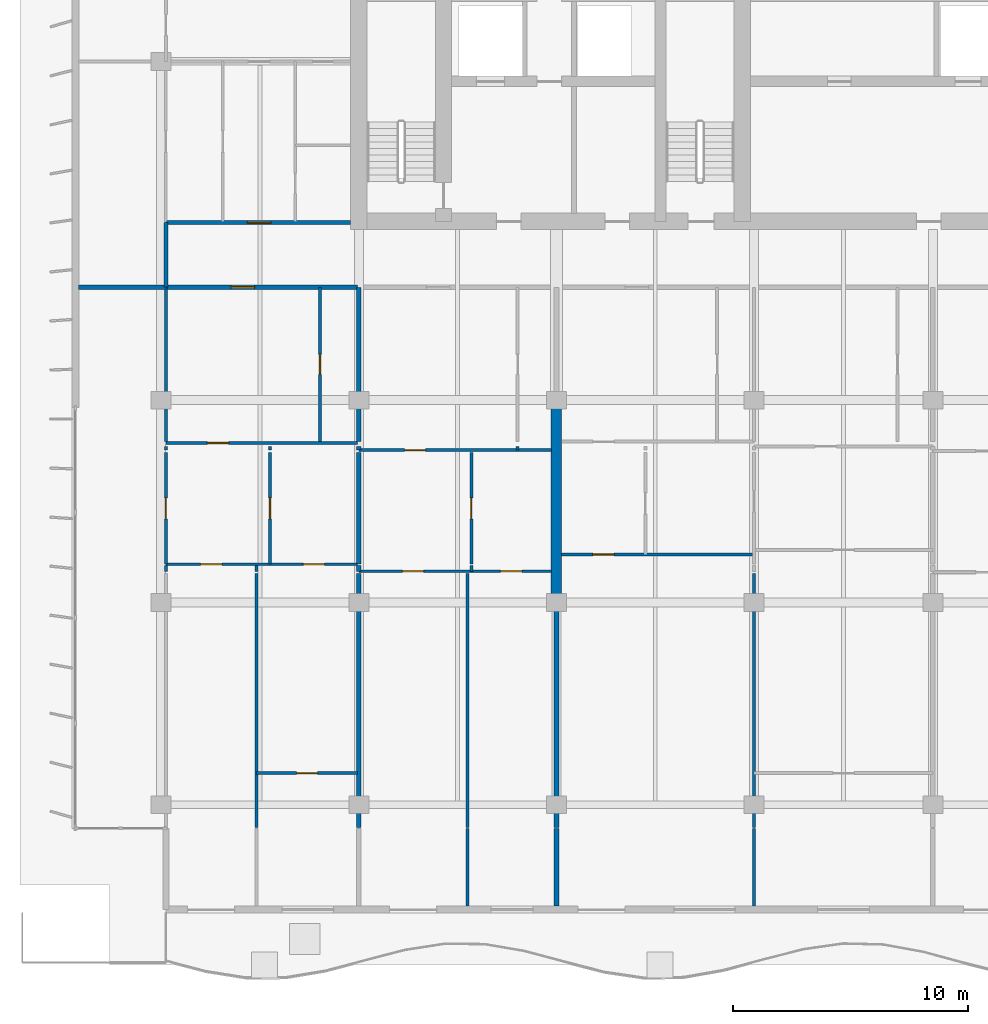
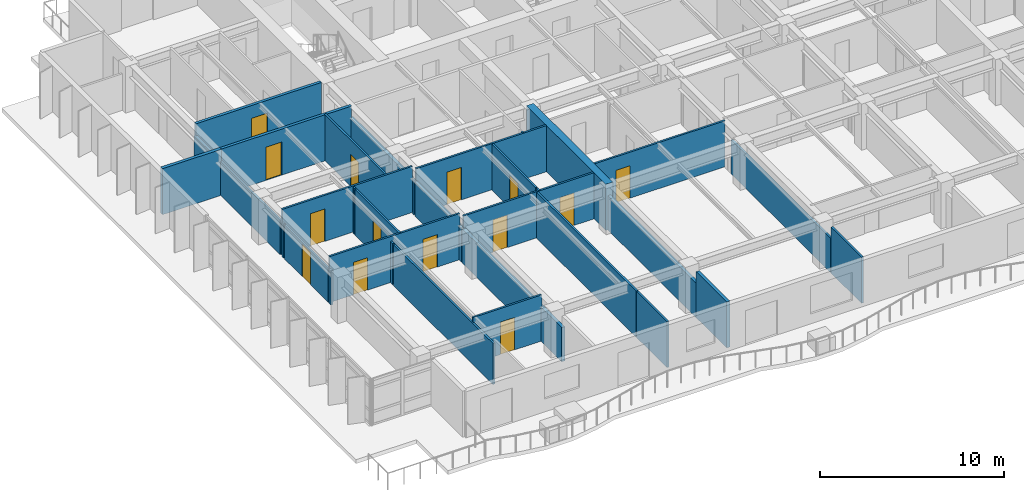
# One storey, part 7 of 17: 34 walls, 14 doors, 14 openings.
"""IFC4 building model written with IfcOpenShell, lengths in metres."""

from ifc_helpers import new_model, si_unit, direction, frame, frame_2d, origin, place, context, subcontext, project, spatial, rectangle, extrude, material, layer, layer_set, type_object, element, fill, save


model = new_model("IFC4")

# Units and contexts
model_context = context("Model", 3, precision=1e-05, world=origin(), true_north=direction((0.0, 1.0)))
body_context = subcontext(model_context, "Body", "Model", "MODEL_VIEW")
ifc_project = project(units=[si_unit("LENGTHUNIT", "METRE"), si_unit("AREAUNIT", "SQUARE_METRE"), si_unit("VOLUMEUNIT", "CUBIC_METRE"), si_unit("PLANEANGLEUNIT", "RADIAN"), si_unit("MASSUNIT", "GRAM", prefix="KILO")], contexts=[model_context])

# Site, building, storey
site_placement = place(None, origin())
site = spatial("IfcSite", under=ifc_project, at=site_placement, CompositionType="ELEMENT")
building_placement = place(site_placement, origin())
building = spatial("IfcBuilding", under=site, at=building_placement, Name="Caelmar Bay Residences", CompositionType="ELEMENT")
storey_placement = place(building_placement, frame((0.0, 0.0, 157.199951171875)))
storey = spatial("IfcBuildingStorey", under=building, at=storey_placement, Name="L43", CompositionType="ELEMENT", Elevation=157.199951171875)

# Walls
ifc_material_1 = material(Name="Concrete f'c 55 MPa (8,000 psi)", Category="concrete")
ifc_layer_1 = layer(ifc_material_1, 0.449951171875)
ifc_layer_set_1 = layer_set([ifc_layer_1], Name="Concrete f'c 55 MPa (8,000 psi)")
wall_type_1 = type_object("IfcWallType", Name="SW-XSLB-450", PredefinedType="SHEAR", material=ifc_layer_set_1)
wall_1_placement = place(storey_placement, frame((26.699951171875, 20.800048828125, 0.0), z_axis=(0.0, 0.0, 1.0), x_axis=(0.0, 1.0, 0.0)))
element("IfcWall", 1, at=wall_1_placement, inside=storey, type_object=wall_type_1, Name="L43 Transverse Cross-Slab Shear Wall W5", PredefinedType="SHEAR", context=body_context, shape_type="SweptSolid", body=[
    extrude(rectangle(XDim=8.599853515625, YDim=0.449951171875, at=frame_2d((4.2998046875, 0.0))), origin(), (0.0, 0.0, 1.0), 3.050048828125),
])
ifc_material_2 = material(Name="Double-stud acoustic fire-rated gypsum partition 180 mm")
ifc_layer_2 = layer(ifc_material_2, 0.179931640625)
ifc_layer_set_2 = layer_set([ifc_layer_2], Name="Double-stud acoustic fire-rated gypsum partition 180 mm")
wall_type_2 = type_object("IfcWallType", Name="W-COR-200", PredefinedType="PARTITIONING", material=ifc_layer_set_2)
wall_2_placement = place(storey_placement, frame((10.10009765625, 34.205078125, 0.0), z_axis=(0.0, 0.0, 1.0), x_axis=(0.0, 1.0, 0.0)))
element("IfcWall", 2, at=wall_2_placement, inside=storey, type_object=wall_type_2, Name="L43 Partition Wall V006", PredefinedType="PARTITIONING", context=body_context, shape_type="SweptSolid", body=[
    extrude(rectangle(XDim=2.744873046875, YDim=0.179931640625, at=frame_2d((1.37255859375, 0.0))), origin(), (0.0, 0.0, 1.0), 2.262939453125),
])

# Wall, opening, door
wall_3_placement = place(storey_placement, frame((10.10498046875, 34.199951171875, 0.0), z_axis=(0.0, 0.0, 1.0), x_axis=(1.0, 0.0, 0.0)))
wall_3 = element("IfcWall", 3, at=wall_3_placement, inside=storey, type_object=wall_type_2, Name="L43 Partition Wall H118", PredefinedType="PARTITIONING", context=body_context, shape_type="SweptSolid", body=[
    extrude(rectangle(XDim=8.14501953125, YDim=0.179931640625, at=frame_2d((4.072509765625, 0.0))), origin(), (0.0, 0.0, 1.0), 3.050048828125),
])
opening_1_placement = place(wall_3_placement, frame((2.7724609375, 0.0, 0.0)))
opening_1 = element("IfcOpeningElement", 4, at=opening_1_placement, cuts=wall_3, Name="Opening D-L43-119", PredefinedType="OPENING", context=body_context, shape_type="SweptSolid", body=[
    extrude(rectangle(XDim=1.0, YDim=2.199951171875, at=frame_2d((0.5, 1.10009765625))), frame((0.0, 0.099853515625, 0.0), z_axis=(0.0, -1.0, 0.0), x_axis=(1.0, 0.0, 0.0)), (0.0, 0.0, 1.0), 0.199951171875),
])
ifc_material_3 = material(Name="Fire-rated steel and walnut architectural door assembly", Category="steel")
ifc_layer_3 = layer(ifc_material_3, 0.050048828125)
ifc_layer_set_3 = layer_set([ifc_layer_3], Name="Fire-rated steel and walnut architectural door assembly")
door_type_1 = type_object("IfcDoorType", Name="D-UNIT-1000", OperationType="NOTDEFINED", PredefinedType="DOOR", material=ifc_layer_set_3)
door_1_placement = place(opening_1_placement, origin())
door_1 = element("IfcDoor", 5, at=door_1_placement, inside=storey, type_object=door_type_1, Name="L43 Residence 01 Apartment Hall Door", OperationType="SINGLE_SWING_RIGHT", OverallHeight=2.199951171875, OverallWidth=1.0, PredefinedType="DOOR", context=body_context, shape_type="SweptSolid", body=[
    extrude(rectangle(XDim=1.0, YDim=2.199951171875, at=frame_2d((0.5, 1.10009765625))), frame((0.0, 0.02490234375, 0.0), z_axis=(0.0, -1.0, 0.0), x_axis=(1.0, 0.0, 0.0)), (0.0, 0.0, 1.0), 0.050048828125),
])
fill(opening_1, door_1)

wall_4_placement = place(storey_placement, frame((10.10009765625, 36.949951171875, 0.0), z_axis=(0.0, 0.0, 1.0), x_axis=(1.0, 0.0, 0.0)))
wall_4 = element("IfcWall", 6, at=wall_4_placement, inside=storey, type_object=wall_type_2, Name="L43 Partition Wall H123", PredefinedType="PARTITIONING", context=body_context, shape_type="SweptSolid", body=[
    extrude(rectangle(XDim=7.844970703125, YDim=0.179931640625, at=frame_2d((3.92236328125, 0.0))), origin(), (0.0, 0.0, 1.0), 3.050048828125),
])
opening_2_placement = place(wall_4_placement, frame((3.4599609375, 0.0, 0.0)))
opening_2 = element("IfcOpeningElement", 7, at=opening_2_placement, cuts=wall_4, Name="Opening D-L43-164", PredefinedType="OPENING", context=body_context, shape_type="SweptSolid", body=[
    extrude(rectangle(XDim=1.0, YDim=2.199951171875, at=frame_2d((0.5, 1.10009765625))), frame((0.0, 0.099853515625, 0.0), z_axis=(0.0, -1.0, 0.0), x_axis=(1.0, 0.0, 0.0)), (0.0, 0.0, 1.0), 0.199951171875),
])
door_2_placement = place(opening_2_placement, origin())
door_2 = element("IfcDoor", 8, at=door_2_placement, inside=storey, type_object=door_type_1, Name="L43 Residence WA Kitchen Door", OperationType="SINGLE_SWING_LEFT", OverallHeight=2.199951171875, OverallWidth=1.0, PredefinedType="DOOR", context=body_context, shape_type="SweptSolid", body=[
    extrude(rectangle(XDim=1.0, YDim=2.199951171875, at=frame_2d((0.5, 1.10009765625))), frame((0.0, 0.02490234375, 0.0), z_axis=(0.0, -1.0, 0.0), x_axis=(1.0, 0.0, 0.0)), (0.0, 0.0, 1.0), 0.050048828125),
])
fill(opening_2, door_2)

# Wall
ifc_material_4 = material(Name="Acoustic metal-stud gypsum partition 120 mm")
ifc_layer_4 = layer(ifc_material_4, 0.1201171875)
ifc_layer_set_4 = layer_set([ifc_layer_4], Name="Acoustic metal-stud gypsum partition 120 mm")
wall_type_3 = type_object("IfcWallType", Name="W-PRT-120", PredefinedType="PARTITIONING", material=ifc_layer_set_4)
wall_5_placement = place(storey_placement, frame((10.10009765625, 22.1298828125, 0.0), z_axis=(0.0, 0.0, 1.0), x_axis=(0.0, 1.0, 0.0)))
element("IfcWall", 9, at=wall_5_placement, inside=storey, type_object=wall_type_3, Name="L43 Partition Wall V002", PredefinedType="PARTITIONING", context=body_context, shape_type="SweptSolid", body=[
    extrude(rectangle(XDim=0.240234375, YDim=0.1201171875, at=frame_2d((0.1201171875, 0.0))), origin(), (0.0, 0.0, 1.0), 2.262939453125),
])

# Wall, opening, door
wall_6_placement = place(storey_placement, frame((10.10009765625, 22.429931640625, 0.0), z_axis=(0.0, 0.0, 1.0), x_axis=(0.0, 1.0, 0.0)))
wall_6 = element("IfcWall", 10, at=wall_6_placement, inside=storey, type_object=wall_type_3, Name="L43 Partition Wall V003", PredefinedType="PARTITIONING", context=body_context, shape_type="SweptSolid", body=[
    extrude(rectangle(XDim=4.75, YDim=0.1201171875, at=frame_2d((2.375, 0.0))), origin(), (0.0, 0.0, 1.0), 2.262939453125),
])
opening_3_placement = place(wall_6_placement, frame((1.925048828125, 0.0, 0.0)))
opening_3 = element("IfcOpeningElement", 11, at=opening_3_placement, cuts=wall_6, Name="Opening D-L43-161", PredefinedType="OPENING", context=body_context, shape_type="SweptSolid", body=[
    extrude(rectangle(XDim=0.89990234375, YDim=2.14990234375, at=frame_2d((0.449951171875, 1.074951171875))), frame((0.0, 0.070068359375, 0.0), z_axis=(0.0, -1.0, 0.0), x_axis=(1.0, 0.0, 0.0)), (0.0, 0.0, 1.0), 0.14013671875),
])
ifc_material_5 = material(Name="Solid walnut timber interior door leaf and frame", Category="wood")
ifc_layer_5 = layer(ifc_material_5, 0.050048828125)
ifc_layer_set_5 = layer_set([ifc_layer_5], Name="Solid walnut timber interior door leaf and frame")
door_type_2 = type_object("IfcDoorType", Name="D-ROOM-900", OperationType="NOTDEFINED", PredefinedType="DOOR", material=ifc_layer_set_5)
door_3_placement = place(opening_3_placement, origin())
door_3 = element("IfcDoor", 12, at=door_3_placement, inside=storey, type_object=door_type_2, Name="L43 Residence 01 Penthouse West Salon Door", OperationType="SINGLE_SWING_RIGHT", OverallHeight=2.14990234375, OverallWidth=0.89990234375, PredefinedType="DOOR", context=body_context, shape_type="SweptSolid", body=[
    extrude(rectangle(XDim=0.89990234375, YDim=2.14990234375, at=frame_2d((0.449951171875, 1.074951171875))), frame((0.0, 0.02490234375, 0.0), z_axis=(0.0, -1.0, 0.0), x_axis=(1.0, 0.0, 0.0)), (0.0, 0.0, 1.0), 0.050048828125),
])
fill(opening_3, door_3)

# Walls
wall_7_placement = place(storey_placement, frame((10.10009765625, 27.280029296875, 0.0), z_axis=(0.0, 0.0, 1.0), x_axis=(0.0, 1.0, 0.0)))
element("IfcWall", 13, at=wall_7_placement, inside=storey, type_object=wall_type_3, Name="L43 Partition Wall V004", PredefinedType="PARTITIONING", context=body_context, shape_type="SweptSolid", body=[
    extrude(rectangle(XDim=0.159912109375, YDim=0.1201171875, at=frame_2d((0.080078125, 0.0))), origin(), (0.0, 0.0, 1.0), 2.262939453125),
])
wall_8_placement = place(storey_placement, frame((10.10009765625, 27.639892578125, 0.0), z_axis=(0.0, 0.0, 1.0), x_axis=(0.0, 1.0, 0.0)))
element("IfcWall", 14, at=wall_8_placement, inside=storey, type_object=wall_type_3, Name="L43 Partition Wall V005", PredefinedType="PARTITIONING", context=body_context, shape_type="SweptSolid", body=[
    extrude(rectangle(XDim=6.56005859375, YDim=0.1201171875, at=frame_2d((3.280029296875, 0.0))), origin(), (0.0, 0.0, 1.0), 2.262939453125),
])
wall_9_placement = place(storey_placement, frame((13.9541015625, 11.239990234375, 0.0), z_axis=(0.0, 0.0, 1.0), x_axis=(0.0, 1.0, 0.0)))
element("IfcWall", 15, at=wall_9_placement, inside=storey, type_object=wall_type_3, Name="L43 Partition Wall V011", PredefinedType="PARTITIONING", context=body_context, shape_type="SweptSolid", body=[
    extrude(rectangle(XDim=10.7900390625, YDim=0.1201171875, at=frame_2d((5.39501953125, 0.0))), origin(), (0.0, 0.0, 1.0), 2.72509765625),
])
wall_10_placement = place(storey_placement, frame((13.9541015625, 22.1298828125, 0.0), z_axis=(0.0, 0.0, 1.0), x_axis=(0.0, 1.0, 0.0)))
element("IfcWall", 16, at=wall_10_placement, inside=storey, type_object=wall_type_3, Name="L43 Partition Wall V012", PredefinedType="PARTITIONING", context=body_context, shape_type="SweptSolid", body=[
    extrude(rectangle(XDim=0.240234375, YDim=0.1201171875, at=frame_2d((0.1201171875, 0.0))), origin(), (0.0, 0.0, 1.0), 2.72509765625),
])

# Wall, opening, door
wall_11_placement = place(storey_placement, frame((14.528076171875, 22.429931640625, 0.0), z_axis=(0.0, 0.0, 1.0), x_axis=(0.0, 1.0, 0.0)))
wall_11 = element("IfcWall", 17, at=wall_11_placement, inside=storey, type_object=wall_type_3, Name="L43 Partition Wall V013", PredefinedType="PARTITIONING", context=body_context, shape_type="SweptSolid", body=[
    extrude(rectangle(XDim=4.75, YDim=0.1201171875, at=frame_2d((2.375, 0.0))), origin(), (0.0, 0.0, 1.0), 3.050048828125),
])
opening_4_placement = place(wall_11_placement, frame((1.925048828125, 0.0, 0.0)))
opening_4 = element("IfcOpeningElement", 18, at=opening_4_placement, cuts=wall_11, Name="Opening D-L43-122", PredefinedType="OPENING", context=body_context, shape_type="SweptSolid", body=[
    extrude(rectangle(XDim=0.89990234375, YDim=2.14990234375, at=frame_2d((0.449951171875, 1.074951171875))), frame((0.0, 0.070068359375, 0.0), z_axis=(0.0, -1.0, 0.0), x_axis=(1.0, 0.0, 0.0)), (0.0, 0.0, 1.0), 0.14013671875),
])
door_4_placement = place(opening_4_placement, origin())
door_4 = element("IfcDoor", 19, at=door_4_placement, inside=storey, type_object=door_type_2, Name="L43 Residence 01 Study Door", OperationType="SINGLE_SWING_LEFT", OverallHeight=2.14990234375, OverallWidth=0.89990234375, PredefinedType="DOOR", context=body_context, shape_type="SweptSolid", body=[
    extrude(rectangle(XDim=0.89990234375, YDim=2.14990234375, at=frame_2d((0.449951171875, 1.074951171875))), frame((0.0, 0.02490234375, 0.0), z_axis=(0.0, -1.0, 0.0), x_axis=(1.0, 0.0, 0.0)), (0.0, 0.0, 1.0), 0.050048828125),
])
fill(opening_4, door_4)

# Wall
wall_12_placement = place(storey_placement, frame((14.528076171875, 27.280029296875, 0.0), z_axis=(0.0, 0.0, 1.0), x_axis=(0.0, 1.0, 0.0)))
element("IfcWall", 20, at=wall_12_placement, inside=storey, type_object=wall_type_3, Name="L43 Partition Wall V014", PredefinedType="PARTITIONING", context=body_context, shape_type="SweptSolid", body=[
    extrude(rectangle(XDim=0.159912109375, YDim=0.1201171875, at=frame_2d((0.080078125, 0.0))), origin(), (0.0, 0.0, 1.0), 3.050048828125),
])

# Wall, opening, door
wall_13_placement = place(storey_placement, frame((16.64990234375, 27.639892578125, 0.0), z_axis=(0.0, 0.0, 1.0), x_axis=(0.0, 1.0, 0.0)))
wall_13 = element("IfcWall", 21, at=wall_13_placement, inside=storey, type_object=wall_type_3, Name="L43 Partition Wall V016", PredefinedType="PARTITIONING", context=body_context, shape_type="SweptSolid", body=[
    extrude(rectangle(XDim=6.56005859375, YDim=0.1201171875, at=frame_2d((3.280029296875, 0.0))), origin(), (0.0, 0.0, 1.0), 3.050048828125),
])
opening_5_placement = place(wall_13_placement, frame((2.85498046875, 0.0, 0.0)))
opening_5 = element("IfcOpeningElement", 22, at=opening_5_placement, cuts=wall_13, Name="Opening D-L43-120", PredefinedType="OPENING", context=body_context, shape_type="SweptSolid", body=[
    extrude(rectangle(XDim=0.85009765625, YDim=2.10009765625, at=frame_2d((0.425048828125, 1.050048828125))), frame((0.0, 0.070068359375, 0.0), z_axis=(0.0, -1.0, 0.0), x_axis=(1.0, 0.0, 0.0)), (0.0, 0.0, 1.0), 0.14013671875),
])
ifc_layer_6 = layer(ifc_material_5, 0.050048828125)
ifc_layer_set_6 = layer_set([ifc_layer_6], Name="Solid walnut timber interior door leaf and frame")
door_type_3 = type_object("IfcDoorType", Name="D-BATH-850", OperationType="NOTDEFINED", PredefinedType="DOOR", material=ifc_layer_set_6)
door_5_placement = place(opening_5_placement, origin())
door_5 = element("IfcDoor", 23, at=door_5_placement, inside=storey, type_object=door_type_3, Name="L43 Residence 01 Bathroom Door", OperationType="SINGLE_SWING_LEFT", OverallHeight=2.10009765625, OverallWidth=0.85009765625, PredefinedType="DOOR", context=body_context, shape_type="SweptSolid", body=[
    extrude(rectangle(XDim=0.85009765625, YDim=2.10009765625, at=frame_2d((0.425048828125, 1.050048828125))), frame((0.0, 0.02490234375, 0.0), z_axis=(0.0, -1.0, 0.0), x_axis=(1.0, 0.0, 0.0)), (0.0, 0.0, 1.0), 0.050048828125),
])
fill(opening_5, door_5)

# Walls
wall_14_placement = place(storey_placement, frame((22.919921875, 7.89501953125, 0.0), z_axis=(0.0, 0.0, 1.0), x_axis=(0.0, 1.0, 0.0)))
element("IfcWall", 24, at=wall_14_placement, inside=storey, type_object=wall_type_3, Name="L43 Partition Wall V024", PredefinedType="PARTITIONING", context=body_context, shape_type="SweptSolid", body=[
    extrude(rectangle(XDim=3.304931640625, YDim=0.1201171875, at=frame_2d((1.65234375, 0.0))), origin(), (0.0, 0.0, 1.0), 3.050048828125),
])
wall_15_placement = place(storey_placement, frame((22.919921875, 11.239990234375, 0.0), z_axis=(0.0, 0.0, 1.0), x_axis=(0.0, 1.0, 0.0)))
element("IfcWall", 25, at=wall_15_placement, inside=storey, type_object=wall_type_3, Name="L43 Partition Wall V025", PredefinedType="PARTITIONING", context=body_context, shape_type="SweptSolid", body=[
    extrude(rectangle(XDim=10.7900390625, YDim=0.1201171875, at=frame_2d((5.39501953125, 0.0))), origin(), (0.0, 0.0, 1.0), 3.050048828125),
])
wall_16_placement = place(storey_placement, frame((23.0859375, 22.1298828125, 0.0), z_axis=(0.0, 0.0, 1.0), x_axis=(0.0, 1.0, 0.0)))
element("IfcWall", 26, at=wall_16_placement, inside=storey, type_object=wall_type_3, Name="L43 Partition Wall V026", PredefinedType="PARTITIONING", context=body_context, shape_type="SweptSolid", body=[
    extrude(rectangle(XDim=0.240234375, YDim=0.1201171875, at=frame_2d((0.1201171875, 0.0))), origin(), (0.0, 0.0, 1.0), 3.050048828125),
])

# Wall, opening, door
wall_17_placement = place(storey_placement, frame((23.0859375, 22.429931640625, 0.0), z_axis=(0.0, 0.0, 1.0), x_axis=(0.0, 1.0, 0.0)))
wall_17 = element("IfcWall", 27, at=wall_17_placement, inside=storey, type_object=wall_type_3, Name="L43 Partition Wall V027", PredefinedType="PARTITIONING", context=body_context, shape_type="SweptSolid", body=[
    extrude(rectangle(XDim=4.75, YDim=0.1201171875, at=frame_2d((2.375, 0.0))), origin(), (0.0, 0.0, 1.0), 3.050048828125),
])
opening_6_placement = place(wall_17_placement, frame((1.925048828125, 0.0, 0.0)))
opening_6 = element("IfcOpeningElement", 28, at=opening_6_placement, cuts=wall_17, Name="Opening D-L43-129", PredefinedType="OPENING", context=body_context, shape_type="SweptSolid", body=[
    extrude(rectangle(XDim=0.89990234375, YDim=2.14990234375, at=frame_2d((0.449951171875, 1.074951171875))), frame((0.0, 0.070068359375, 0.0), z_axis=(0.0, -1.0, 0.0), x_axis=(1.0, 0.0, 0.0)), (0.0, 0.0, 1.0), 0.14013671875),
])
door_6_placement = place(opening_6_placement, origin())
door_6 = element("IfcDoor", 29, at=door_6_placement, inside=storey, type_object=door_type_2, Name="L43 Residence 02 Study Door", OperationType="SINGLE_SWING_RIGHT", OverallHeight=2.14990234375, OverallWidth=0.89990234375, PredefinedType="DOOR", context=body_context, shape_type="SweptSolid", body=[
    extrude(rectangle(XDim=0.89990234375, YDim=2.14990234375, at=frame_2d((0.449951171875, 1.074951171875))), frame((0.0, 0.02490234375, 0.0), z_axis=(0.0, -1.0, 0.0), x_axis=(1.0, 0.0, 0.0)), (0.0, 0.0, 1.0), 0.050048828125),
])
fill(opening_6, door_6)

# Walls
wall_18_placement = place(storey_placement, frame((25.050048828125, 27.280029296875, 0.0), z_axis=(0.0, 0.0, 1.0), x_axis=(0.0, 1.0, 0.0)))
element("IfcWall", 30, at=wall_18_placement, inside=storey, type_object=wall_type_3, Name="L43 Partition Wall V028", PredefinedType="PARTITIONING", context=body_context, shape_type="SweptSolid", body=[
    extrude(rectangle(XDim=0.159912109375, YDim=0.1201171875, at=frame_2d((0.080078125, 0.0))), origin(), (0.0, 0.0, 1.0), 3.050048828125),
])
wall_19_placement = place(storey_placement, frame((35.10009765625, 7.89501953125, 0.0), z_axis=(0.0, 0.0, 1.0), x_axis=(0.0, 1.0, 0.0)))
element("IfcWall", 31, at=wall_19_placement, inside=storey, type_object=wall_type_3, Name="L43 Partition Wall V039", PredefinedType="PARTITIONING", context=body_context, shape_type="SweptSolid", body=[
    extrude(rectangle(XDim=3.304931640625, YDim=0.1201171875, at=frame_2d((1.65234375, 0.0))), origin(), (0.0, 0.0, 1.0), 3.050048828125),
])
wall_20_placement = place(storey_placement, frame((35.10009765625, 11.239990234375, 0.0), z_axis=(0.0, 0.0, 1.0), x_axis=(0.0, 1.0, 0.0)))
element("IfcWall", 32, at=wall_20_placement, inside=storey, type_object=wall_type_3, Name="L43 Partition Wall V040", PredefinedType="PARTITIONING", context=body_context, shape_type="SweptSolid", body=[
    extrude(rectangle(XDim=10.7900390625, YDim=0.1201171875, at=frame_2d((5.39501953125, 0.0))), origin(), (0.0, 0.0, 1.0), 2.262939453125),
])

# Wall, opening, door
wall_21_placement = place(storey_placement, frame((13.9541015625, 13.550048828125, 0.0), z_axis=(0.0, 0.0, 1.0), x_axis=(1.0, 0.0, 0.0)))
wall_21 = element("IfcWall", 33, at=wall_21_placement, inside=storey, type_object=wall_type_3, Name="L43 Partition Wall H097", PredefinedType="PARTITIONING", context=body_context, shape_type="SweptSolid", body=[
    extrude(rectangle(XDim=4.2958984375, YDim=0.1201171875, at=frame_2d((2.14794921875, 0.0))), origin(), (0.0, 0.0, 1.0), 3.050048828125),
])
opening_7_placement = place(wall_21_placement, frame((1.697998046875, 0.0, 0.0)))
opening_7 = element("IfcOpeningElement", 34, at=opening_7_placement, cuts=wall_21, Name="Opening D-L43-125", PredefinedType="OPENING", context=body_context, shape_type="SweptSolid", body=[
    extrude(rectangle(XDim=0.89990234375, YDim=2.14990234375, at=frame_2d((0.449951171875, 1.074951171875))), frame((0.0, 0.070068359375, 0.0), z_axis=(0.0, -1.0, 0.0), x_axis=(1.0, 0.0, 0.0)), (0.0, 0.0, 1.0), 0.14013671875),
])
door_7_placement = place(opening_7_placement, origin())
door_7 = element("IfcDoor", 35, at=door_7_placement, inside=storey, type_object=door_type_2, Name="L43 Residence 01 Primary Bedroom Door", OperationType="SINGLE_SWING_RIGHT", OverallHeight=2.14990234375, OverallWidth=0.89990234375, PredefinedType="DOOR", context=body_context, shape_type="SweptSolid", body=[
    extrude(rectangle(XDim=0.89990234375, YDim=2.14990234375, at=frame_2d((0.449951171875, 1.074951171875))), frame((0.0, 0.02490234375, 0.0), z_axis=(0.0, -1.0, 0.0), x_axis=(1.0, 0.0, 0.0)), (0.0, 0.0, 1.0), 0.050048828125),
])
fill(opening_7, door_7)

# Wall, openings, doors
wall_22_placement = place(storey_placement, frame((18.300048828125, 22.1298828125, 0.0), z_axis=(0.0, 0.0, 1.0), x_axis=(1.0, 0.0, 0.0)))
wall_22 = element("IfcWall", 36, at=wall_22_placement, inside=storey, type_object=wall_type_3, Name="L43 Partition Wall H103", PredefinedType="PARTITIONING", context=body_context, shape_type="SweptSolid", body=[
    extrude(rectangle(XDim=8.179931640625, YDim=0.1201171875, at=frame_2d((4.08984375, 0.0))), origin(), (0.0, 0.0, 1.0), 3.050048828125),
])
opening_8_placement = place(wall_22_placement, frame((1.860107421875, 0.0, 0.0)))
opening_8 = element("IfcOpeningElement", 37, at=opening_8_placement, cuts=wall_22, Name="Opening D-L43-130", PredefinedType="OPENING", context=body_context, shape_type="SweptSolid", body=[
    extrude(rectangle(XDim=0.89990234375, YDim=2.14990234375, at=frame_2d((0.449951171875, 1.074951171875))), frame((0.0, 0.070068359375, 0.0), z_axis=(0.0, -1.0, 0.0), x_axis=(1.0, 0.0, 0.0)), (0.0, 0.0, 1.0), 0.14013671875),
])
opening_9_placement = place(wall_22_placement, frame((6.032958984375, 0.0, 0.0)))
opening_9 = element("IfcOpeningElement", 38, at=opening_9_placement, cuts=wall_22, Name="Opening D-L43-131", PredefinedType="OPENING", context=body_context, shape_type="SweptSolid", body=[
    extrude(rectangle(XDim=0.89990234375, YDim=2.14990234375, at=frame_2d((0.449951171875, 1.074951171875))), frame((0.0, 0.070068359375, 0.0), z_axis=(0.0, -1.0, 0.0), x_axis=(1.0, 0.0, 0.0)), (0.0, 0.0, 1.0), 0.14013671875),
])
door_8_placement = place(opening_8_placement, origin())
door_8 = element("IfcDoor", 39, at=door_8_placement, inside=storey, type_object=door_type_2, Name="L43 Residence 02 Living Room Door", OperationType="SINGLE_SWING_LEFT", OverallHeight=2.14990234375, OverallWidth=0.89990234375, PredefinedType="DOOR", context=body_context, shape_type="SweptSolid", body=[
    extrude(rectangle(XDim=0.89990234375, YDim=2.14990234375, at=frame_2d((0.449951171875, 1.074951171875))), frame((0.0, 0.02490234375, 0.0), z_axis=(0.0, -1.0, 0.0), x_axis=(1.0, 0.0, 0.0)), (0.0, 0.0, 1.0), 0.050048828125),
])
fill(opening_8, door_8)
door_9_placement = place(opening_9_placement, origin())
door_9 = element("IfcDoor", 40, at=door_9_placement, inside=storey, type_object=door_type_2, Name="L43 Residence 02 Primary Bedroom Door", OperationType="SINGLE_SWING_RIGHT", OverallHeight=2.14990234375, OverallWidth=0.89990234375, PredefinedType="DOOR", context=body_context, shape_type="SweptSolid", body=[
    extrude(rectangle(XDim=0.89990234375, YDim=2.14990234375, at=frame_2d((0.449951171875, 1.074951171875))), frame((0.0, 0.02490234375, 0.0), z_axis=(0.0, -1.0, 0.0), x_axis=(1.0, 0.0, 0.0)), (0.0, 0.0, 1.0), 0.050048828125),
])
fill(opening_9, door_9)

wall_23_placement = place(storey_placement, frame((10.10009765625, 22.429931640625, 0.0), z_axis=(0.0, 0.0, 1.0), x_axis=(1.0, 0.0, 0.0)))
wall_23 = element("IfcWall", 41, at=wall_23_placement, inside=storey, type_object=wall_type_3, Name="L43 Partition Wall H106", PredefinedType="PARTITIONING", context=body_context, shape_type="SweptSolid", body=[
    extrude(rectangle(XDim=8.14990234375, YDim=0.1201171875, at=frame_2d((4.074951171875, 0.0))), origin(), (0.0, 0.0, 1.0), 3.050048828125),
])
opening_10_placement = place(wall_23_placement, frame((1.47705078125, 0.0, 0.0)))
opening_10 = element("IfcOpeningElement", 42, at=opening_10_placement, cuts=wall_23, Name="Opening D-L43-123", PredefinedType="OPENING", context=body_context, shape_type="SweptSolid", body=[
    extrude(rectangle(XDim=0.89990234375, YDim=2.14990234375, at=frame_2d((0.449951171875, 1.074951171875))), frame((0.0, 0.070068359375, 0.0), z_axis=(0.0, -1.0, 0.0), x_axis=(1.0, 0.0, 0.0)), (0.0, 0.0, 1.0), 0.14013671875),
])
opening_11_placement = place(wall_23_placement, frame((5.839111328125, 0.0, 0.0)))
opening_11 = element("IfcOpeningElement", 43, at=opening_11_placement, cuts=wall_23, Name="Opening D-L43-124", PredefinedType="OPENING", context=body_context, shape_type="SweptSolid", body=[
    extrude(rectangle(XDim=0.89990234375, YDim=2.14990234375, at=frame_2d((0.449951171875, 1.074951171875))), frame((0.0, 0.070068359375, 0.0), z_axis=(0.0, -1.0, 0.0), x_axis=(1.0, 0.0, 0.0)), (0.0, 0.0, 1.0), 0.14013671875),
])
door_10_placement = place(opening_10_placement, origin())
door_10 = element("IfcDoor", 44, at=door_10_placement, inside=storey, type_object=door_type_2, Name="L43 Residence 01 Living Room Door", OperationType="SINGLE_SWING_RIGHT", OverallHeight=2.14990234375, OverallWidth=0.89990234375, PredefinedType="DOOR", context=body_context, shape_type="SweptSolid", body=[
    extrude(rectangle(XDim=0.89990234375, YDim=2.14990234375, at=frame_2d((0.449951171875, 1.074951171875))), frame((0.0, 0.02490234375, 0.0), z_axis=(0.0, -1.0, 0.0), x_axis=(1.0, 0.0, 0.0)), (0.0, 0.0, 1.0), 0.050048828125),
])
fill(opening_10, door_10)
door_11_placement = place(opening_11_placement, origin())
door_11 = element("IfcDoor", 45, at=door_11_placement, inside=storey, type_object=door_type_2, Name="L43 Residence 01 Penthouse Sitting Room Door", OperationType="SINGLE_SWING_LEFT", OverallHeight=2.14990234375, OverallWidth=0.89990234375, PredefinedType="DOOR", context=body_context, shape_type="SweptSolid", body=[
    extrude(rectangle(XDim=0.89990234375, YDim=2.14990234375, at=frame_2d((0.449951171875, 1.074951171875))), frame((0.0, 0.02490234375, 0.0), z_axis=(0.0, -1.0, 0.0), x_axis=(1.0, 0.0, 0.0)), (0.0, 0.0, 1.0), 0.050048828125),
])
fill(opening_11, door_11)

# Wall, opening, door
wall_24_placement = place(storey_placement, frame((26.919921875, 22.840087890625, 0.0), z_axis=(0.0, 0.0, 1.0), x_axis=(1.0, 0.0, 0.0)))
wall_24 = element("IfcWall", 46, at=wall_24_placement, inside=storey, type_object=wall_type_3, Name="L43 Partition Wall H107", PredefinedType="PARTITIONING", context=body_context, shape_type="SweptSolid", body=[
    extrude(rectangle(XDim=8.18017578125, YDim=0.1201171875, at=frame_2d((4.090087890625, 0.0))), origin(), (0.0, 0.0, 1.0), 3.050048828125),
])
opening_12_placement = place(wall_24_placement, frame((1.330078125, 0.0, 0.0)))
opening_12 = element("IfcOpeningElement", 47, at=opening_12_placement, cuts=wall_24, Name="Opening D-L43-136", PredefinedType="OPENING", context=body_context, shape_type="SweptSolid", body=[
    extrude(rectangle(XDim=0.89990234375, YDim=2.14990234375, at=frame_2d((0.449951171875, 1.074951171875))), frame((0.0, 0.070068359375, 0.0), z_axis=(0.0, -1.0, 0.0), x_axis=(1.0, 0.0, 0.0)), (0.0, 0.0, 1.0), 0.14013671875),
])
door_12_placement = place(opening_12_placement, origin())
door_12 = element("IfcDoor", 48, at=door_12_placement, inside=storey, type_object=door_type_2, Name="L43 Residence 03 Penthouse Living Salon Door", OperationType="SINGLE_SWING_LEFT", OverallHeight=2.14990234375, OverallWidth=0.89990234375, PredefinedType="DOOR", context=body_context, shape_type="SweptSolid", body=[
    extrude(rectangle(XDim=0.89990234375, YDim=2.14990234375, at=frame_2d((0.449951171875, 1.074951171875))), frame((0.0, 0.02490234375, 0.0), z_axis=(0.0, -1.0, 0.0), x_axis=(1.0, 0.0, 0.0)), (0.0, 0.0, 1.0), 0.050048828125),
])
fill(opening_12, door_12)

wall_25_placement = place(storey_placement, frame((18.300048828125, 27.280029296875, 0.0), z_axis=(0.0, 0.0, 1.0), x_axis=(1.0, 0.0, 0.0)))
wall_25 = element("IfcWall", 49, at=wall_25_placement, inside=storey, type_object=wall_type_3, Name="L43 Partition Wall H111", PredefinedType="PARTITIONING", context=body_context, shape_type="SweptSolid", body=[
    extrude(rectangle(XDim=8.179931640625, YDim=0.1201171875, at=frame_2d((4.08984375, 0.0))), origin(), (0.0, 0.0, 1.0), 3.050048828125),
])
opening_13_placement = place(wall_25_placement, frame((1.943115234375, 0.0, 0.0)))
opening_13 = element("IfcOpeningElement", 50, at=opening_13_placement, cuts=wall_25, Name="Opening D-L43-128", PredefinedType="OPENING", context=body_context, shape_type="SweptSolid", body=[
    extrude(rectangle(XDim=0.89990234375, YDim=2.14990234375, at=frame_2d((0.449951171875, 1.074951171875))), frame((0.0, 0.070068359375, 0.0), z_axis=(0.0, -1.0, 0.0), x_axis=(1.0, 0.0, 0.0)), (0.0, 0.0, 1.0), 0.14013671875),
])
door_13_placement = place(opening_13_placement, origin())
door_13 = element("IfcDoor", 51, at=door_13_placement, inside=storey, type_object=door_type_2, Name="L43 Residence 02 Kitchen Door", OperationType="SINGLE_SWING_LEFT", OverallHeight=2.14990234375, OverallWidth=0.89990234375, PredefinedType="DOOR", context=body_context, shape_type="SweptSolid", body=[
    extrude(rectangle(XDim=0.89990234375, YDim=2.14990234375, at=frame_2d((0.449951171875, 1.074951171875))), frame((0.0, 0.02490234375, 0.0), z_axis=(0.0, -1.0, 0.0), x_axis=(1.0, 0.0, 0.0)), (0.0, 0.0, 1.0), 0.050048828125),
])
fill(opening_13, door_13)

wall_26_placement = place(storey_placement, frame((10.10009765625, 27.580078125, 0.0), z_axis=(0.0, 0.0, 1.0), x_axis=(1.0, 0.0, 0.0)))
wall_26 = element("IfcWall", 52, at=wall_26_placement, inside=storey, type_object=wall_type_3, Name="L43 Partition Wall H115", PredefinedType="PARTITIONING", context=body_context, shape_type="SweptSolid", body=[
    extrude(rectangle(XDim=8.14990234375, YDim=0.1201171875, at=frame_2d((4.074951171875, 0.0))), origin(), (0.0, 0.0, 1.0), 3.050048828125),
])
opening_14_placement = place(wall_26_placement, frame((1.763916015625, 0.0, 0.0)))
opening_14 = element("IfcOpeningElement", 53, at=opening_14_placement, cuts=wall_26, Name="Opening D-L43-121", PredefinedType="OPENING", context=body_context, shape_type="SweptSolid", body=[
    extrude(rectangle(XDim=0.89990234375, YDim=2.14990234375, at=frame_2d((0.449951171875, 1.074951171875))), frame((0.0, 0.070068359375, 0.0), z_axis=(0.0, -1.0, 0.0), x_axis=(1.0, 0.0, 0.0)), (0.0, 0.0, 1.0), 0.14013671875),
])
door_14_placement = place(opening_14_placement, origin())
door_14 = element("IfcDoor", 54, at=door_14_placement, inside=storey, type_object=door_type_2, Name="L43 Residence 01 Kitchen Door", OperationType="SINGLE_SWING_RIGHT", OverallHeight=2.14990234375, OverallWidth=0.89990234375, PredefinedType="DOOR", context=body_context, shape_type="SweptSolid", body=[
    extrude(rectangle(XDim=0.89990234375, YDim=2.14990234375, at=frame_2d((0.449951171875, 1.074951171875))), frame((0.0, 0.02490234375, 0.0), z_axis=(0.0, -1.0, 0.0), x_axis=(1.0, 0.0, 0.0)), (0.0, 0.0, 1.0), 0.050048828125),
])
fill(opening_14, door_14)

# Walls
ifc_material_6 = material(Name="Acoustic twin-stud fire-rated inter-tenancy partition 200 mm")
ifc_layer_7 = layer(ifc_material_6, 0.199951171875)
ifc_layer_set_7 = layer_set([ifc_layer_7], Name="Acoustic twin-stud fire-rated inter-tenancy partition 200 mm")
wall_type_4 = type_object("IfcWallType", Name="W-PTY-200", PredefinedType="PARTITIONING", material=ifc_layer_set_7)
wall_27_placement = place(storey_placement, frame((18.300048828125, 11.239990234375, 0.0), z_axis=(0.0, 0.0, 1.0), x_axis=(0.0, 1.0, 0.0)))
element("IfcWall", 55, at=wall_27_placement, inside=storey, type_object=wall_type_4, Name="L43 Partition Wall V018", PredefinedType="PARTITIONING", context=body_context, shape_type="SweptSolid", body=[
    extrude(rectangle(XDim=10.7900390625, YDim=0.199951171875, at=frame_2d((5.39501953125, 0.0))), origin(), (0.0, 0.0, 1.0), 2.262939453125),
])
wall_28_placement = place(storey_placement, frame((18.300048828125, 22.1298828125, 0.0), z_axis=(0.0, 0.0, 1.0), x_axis=(0.0, 1.0, 0.0)))
element("IfcWall", 56, at=wall_28_placement, inside=storey, type_object=wall_type_4, Name="L43 Partition Wall V019", PredefinedType="PARTITIONING", context=body_context, shape_type="SweptSolid", body=[
    extrude(rectangle(XDim=0.240234375, YDim=0.199951171875, at=frame_2d((0.1201171875, 0.0))), origin(), (0.0, 0.0, 1.0), 2.262939453125),
])
wall_29_placement = place(storey_placement, frame((18.300048828125, 22.429931640625, 0.0), z_axis=(0.0, 0.0, 1.0), x_axis=(0.0, 1.0, 0.0)))
element("IfcWall", 57, at=wall_29_placement, inside=storey, type_object=wall_type_4, Name="L43 Partition Wall V020", PredefinedType="PARTITIONING", context=body_context, shape_type="SweptSolid", body=[
    extrude(rectangle(XDim=4.75, YDim=0.199951171875, at=frame_2d((2.375, 0.0))), origin(), (0.0, 0.0, 1.0), 2.262939453125),
])
wall_30_placement = place(storey_placement, frame((18.300048828125, 27.280029296875, 0.0), z_axis=(0.0, 0.0, 1.0), x_axis=(0.0, 1.0, 0.0)))
element("IfcWall", 58, at=wall_30_placement, inside=storey, type_object=wall_type_4, Name="L43 Partition Wall V021", PredefinedType="PARTITIONING", context=body_context, shape_type="SweptSolid", body=[
    extrude(rectangle(XDim=0.159912109375, YDim=0.199951171875, at=frame_2d((0.080078125, 0.0))), origin(), (0.0, 0.0, 1.0), 2.262939453125),
])
wall_31_placement = place(storey_placement, frame((18.300048828125, 27.639892578125, 0.0), z_axis=(0.0, 0.0, 1.0), x_axis=(0.0, 1.0, 0.0)))
element("IfcWall", 59, at=wall_31_placement, inside=storey, type_object=wall_type_4, Name="L43 Partition Wall V022", PredefinedType="PARTITIONING", context=body_context, shape_type="SweptSolid", body=[
    extrude(rectangle(XDim=6.56005859375, YDim=0.199951171875, at=frame_2d((3.280029296875, 0.0))), origin(), (0.0, 0.0, 1.0), 2.262939453125),
])
wall_32_placement = place(storey_placement, frame((26.699951171875, 7.89501953125, 0.0), z_axis=(0.0, 0.0, 1.0), x_axis=(0.0, 1.0, 0.0)))
element("IfcWall", 60, at=wall_32_placement, inside=storey, type_object=wall_type_4, Name="L43 Partition Wall V031", PredefinedType="PARTITIONING", context=body_context, shape_type="SweptSolid", body=[
    extrude(rectangle(XDim=3.304931640625, YDim=0.199951171875, at=frame_2d((1.65234375, 0.0))), origin(), (0.0, 0.0, 1.0), 3.050048828125),
])
wall_33_placement = place(storey_placement, frame((26.699951171875, 11.239990234375, 0.0), z_axis=(0.0, 0.0, 1.0), x_axis=(0.0, 1.0, 0.0)))
element("IfcWall", 61, at=wall_33_placement, inside=storey, type_object=wall_type_4, Name="L43 Partition Wall V032", PredefinedType="PARTITIONING", context=body_context, shape_type="SweptSolid", body=[
    extrude(rectangle(XDim=9.554931640625, YDim=0.199951171875, at=frame_2d((4.77734375, 0.0))), origin(), (0.0, 0.0, 1.0), 2.262939453125),
])
wall_34_placement = place(storey_placement, frame((6.39501953125, 34.199951171875, 0.0), z_axis=(0.0, 0.0, 1.0), x_axis=(1.0, 0.0, 0.0)))
element("IfcWall", 62, at=wall_34_placement, inside=storey, type_object=wall_type_4, Name="L43 Partition Wall H117", PredefinedType="PARTITIONING", context=body_context, shape_type="SweptSolid", body=[
    extrude(rectangle(XDim=3.705078125, YDim=0.199951171875, at=frame_2d((1.8525390625, 0.0))), origin(), (0.0, 0.0, 1.0), 3.050048828125),
])

save(model, "model.ifc")
